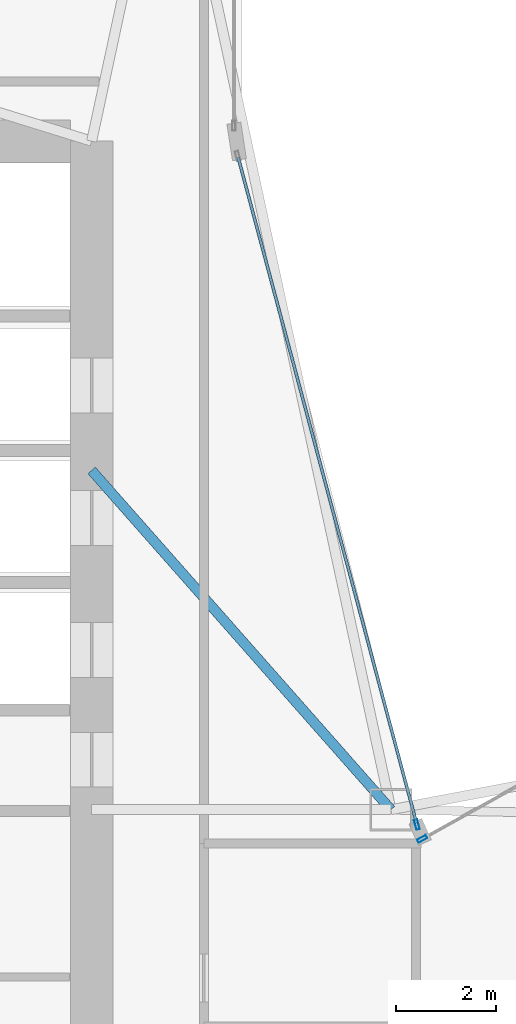
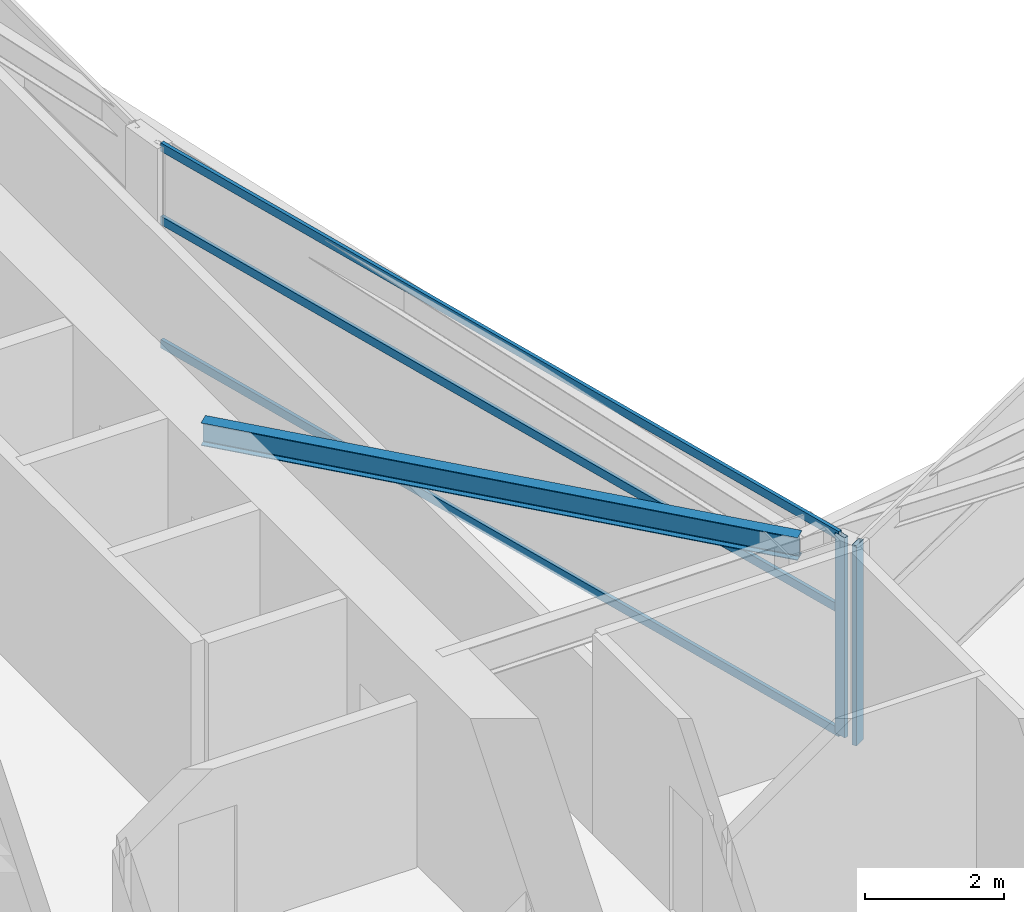
# One storey, part 10 of 28: 5 members, 1 beam, 2 elements without a shape of their own.
"""IFC4 building model written with IfcOpenShell, lengths in metres."""

from ifc_helpers import new_model, si_unit, direction, frame, origin, origin_2d, place, context, subcontext, project, spatial, hollow_rectangle, i_section, extrude, material, layer, layer_set, material_profile, profile_set, type_object, element, aggregate, save


model = new_model("IFC4")

# Units and contexts
model_context = context("Model", 3, precision=1e-05, world=origin(), true_north=direction((0.0, 1.0)))
body_context = subcontext(model_context, "Body", "Model", "MODEL_VIEW")
ifc_project = project(units=[si_unit("LENGTHUNIT", "METRE"), si_unit("AREAUNIT", "SQUARE_METRE"), si_unit("VOLUMEUNIT", "CUBIC_METRE"), si_unit("PLANEANGLEUNIT", "RADIAN"), si_unit("MASSUNIT", "GRAM", prefix="KILO")], contexts=[model_context])

# Site, building, storey
site_placement = place(None, origin())
site = spatial("IfcSite", under=ifc_project, at=site_placement, CompositionType="ELEMENT")
building_placement = place(site_placement, origin())
building = spatial("IfcBuilding", under=site, at=building_placement, Name="Calvorn Quay Hotel", CompositionType="ELEMENT")
storey_placement = place(building_placement, frame((0.0, 0.0, 182.699951171875)))
storey = spatial("IfcBuildingStorey", under=building, at=storey_placement, Name="L45", CompositionType="ELEMENT", Elevation=182.699951171875)

# Beam
ifc_material_1 = material(Name="Steel Q355B", Category="steel")
ifc_material_profile_1 = material_profile(ifc_material_1, i_section(OverallWidth=0.199951171875, OverallDepth=0.39990234375, WebThickness=0.008056640625, FlangeThickness=0.012939453125, FilletRadius=0.01611328125, at=origin_2d()), Name="HN400x200x8x13")
ifc_profile_set_1 = profile_set([ifc_material_profile_1], Name="Steel Q355B")
beam_type = type_object("IfcBeamType", Name="BM-JOIST-TYP", PredefinedType="JOIST", material=ifc_profile_set_1)
beam_placement = place(storey_placement, frame((15.0, 31.800048828125, 3.320068359375), z_axis=(0.661618965899, -0.749840212287, 0.0), x_axis=(0.749840212287, 0.661618965899, 0.0)))
element("IfcBeam", 1, at=beam_placement, inside=storey, type_object=beam_type, Name="Beam BJ-L45-C1", PredefinedType="JOIST", context=body_context, shape_type="SweptSolid", body=[
    extrude(i_section(OverallWidth=0.199951171875, OverallDepth=0.39990234375, WebThickness=0.008056640625, FlangeThickness=0.012939453125, FilletRadius=0.01611328125, at=origin_2d()), origin(), (0.0, 0.0, 1.0), 9.068603515625),
])

# Curtain wall, member
ifc_material_2 = material(Name="Pale Anodised Aluminium and Low-E Glass", Category="aluminium")
ifc_layer = layer(ifc_material_2, 0.219970703125)
ifc_layer_set = layer_set([ifc_layer], Name="CW-SYS-Z2")
curtain_wall_type = type_object("IfcCurtainWallType", Name="CW-SYS-Z2", PredefinedType="NOTDEFINED", material=ifc_layer_set)
curtain_wall_1_placement = place(storey_placement, origin())
curtain_wall_1 = element("IfcCurtainWall", 2, at=curtain_wall_1_placement, inside=storey, type_object=curtain_wall_type, Name="Inner Court Curtain Wall L45-NE1", PredefinedType="NOTDEFINED")
ifc_material_3 = material(Name="Pale Anodised Aluminium 6063-T6", Category="aluminium")
ifc_material_profile_2 = material_profile(ifc_material_3, hollow_rectangle(XDim=0.070068359375, YDim=0.199951171875, WallThickness=0.00390625, at=origin_2d()), Name="ALU-M200x70x4")
ifc_profile_set_2 = profile_set([ifc_material_profile_2], Name="Pale Anodised Aluminium 6063-T6")
member_type_1 = type_object("IfcMemberType", Name="CW-SYS-Z2-MUL", PredefinedType="MULLION", material=ifc_profile_set_2)
member_1_placement = place(storey_placement, frame((21.626220703125, 24.41455078125, 0.0), z_axis=(0.0, 0.0, 1.0), x_axis=(0.486858256224, -0.873480989116, 0.0)))
member_1 = element("IfcMember", 3, at=member_1_placement, type_object=member_type_1, Name="CW-L45-NE1 mullion 4", PredefinedType="MULLION", context=body_context, shape_type="SweptSolid", body=[
    extrude(hollow_rectangle(XDim=0.070068359375, YDim=0.199951171875, WallThickness=0.00390625, at=origin_2d()), origin(), (0.0, 0.0, 1.0), 3.52001953125),
])
aggregate(curtain_wall_1, [member_1])

# Curtain wall, members
curtain_wall_2_placement = place(storey_placement, origin())
curtain_wall_2 = element("IfcCurtainWall", 4, at=curtain_wall_2_placement, inside=storey, type_object=curtain_wall_type, Name="Inner Court Curtain Wall L45-IC1", PredefinedType="NOTDEFINED")
member_2_placement = place(storey_placement, frame((21.520263671875, 24.698974609375, 0.0), z_axis=(0.0, 0.0, 1.0), x_axis=(-0.96593652056, -0.25877913024, 0.0)))
member_2 = element("IfcMember", 5, at=member_2_placement, type_object=member_type_1, Name="CW-L45-IC1 mullion 1", PredefinedType="MULLION", context=body_context, shape_type="SweptSolid", body=[
    extrude(hollow_rectangle(XDim=0.070068359375, YDim=0.199951171875, WallThickness=0.00390625, at=origin_2d()), origin(), (0.0, 0.0, 1.0), 3.52001953125),
])
ifc_material_4 = material(Name="Pale Anodised Aluminium 6063-T6", Category="aluminium")
ifc_material_profile_3 = material_profile(ifc_material_4, hollow_rectangle(XDim=0.06005859375, YDim=0.14990234375, WallThickness=0.00341796875, at=origin_2d()), Name="ALU-T150x60x3.5")
ifc_profile_set_3 = profile_set([ifc_material_profile_3], Name="Pale Anodised Aluminium 6063-T6")
member_type_2 = type_object("IfcMemberType", Name="CW-SYS-Z2-TRN", PredefinedType="USERDEFINED", material=ifc_profile_set_3)
member_3_placement = place(storey_placement, frame((21.512451171875, 24.72802734375, 0.030029296875), z_axis=(-0.258781136883, 0.965935982969, 0.0), x_axis=(-0.965935982969, -0.258781136883, 0.0)))
member_3 = element("IfcMember", 6, at=member_3_placement, type_object=member_type_2, Name="CW-L45-IC1 transom 1.1", ObjectType="TRANSOM", PredefinedType="USERDEFINED", context=body_context, shape_type="SweptSolid", body=[
    extrude(hollow_rectangle(XDim=0.06005859375, YDim=0.14990234375, WallThickness=0.00341796875, at=origin_2d()), origin(), (0.0, 0.0, 1.0), 13.814453125),
])
member_4_placement = place(storey_placement, frame((21.512451171875, 24.72802734375, 2.199951171875), z_axis=(-0.258781136883, 0.965935982969, 0.0), x_axis=(-0.965935982969, -0.258781136883, 0.0)))
member_4 = element("IfcMember", 7, at=member_4_placement, type_object=member_type_2, Name="CW-L45-IC1 transom 1.2", ObjectType="TRANSOM", PredefinedType="USERDEFINED", context=body_context, shape_type="SweptSolid", body=[
    extrude(hollow_rectangle(XDim=0.06005859375, YDim=0.14990234375, WallThickness=0.00341796875, at=origin_2d()), origin(), (0.0, 0.0, 1.0), 13.814453125),
])
member_5_placement = place(storey_placement, frame((21.512451171875, 24.72802734375, 3.489990234375), z_axis=(-0.258781136883, 0.965935982969, 0.0), x_axis=(-0.965935982969, -0.258781136883, 0.0)))
member_5 = element("IfcMember", 8, at=member_5_placement, type_object=member_type_2, Name="CW-L45-IC1 transom 1.3", ObjectType="TRANSOM", PredefinedType="USERDEFINED", context=body_context, shape_type="SweptSolid", body=[
    extrude(hollow_rectangle(XDim=0.06005859375, YDim=0.14990234375, WallThickness=0.00341796875, at=origin_2d()), origin(), (0.0, 0.0, 1.0), 13.814453125),
])
aggregate(curtain_wall_2, [member_2, member_3, member_4, member_5])

save(model, "model.ifc")
